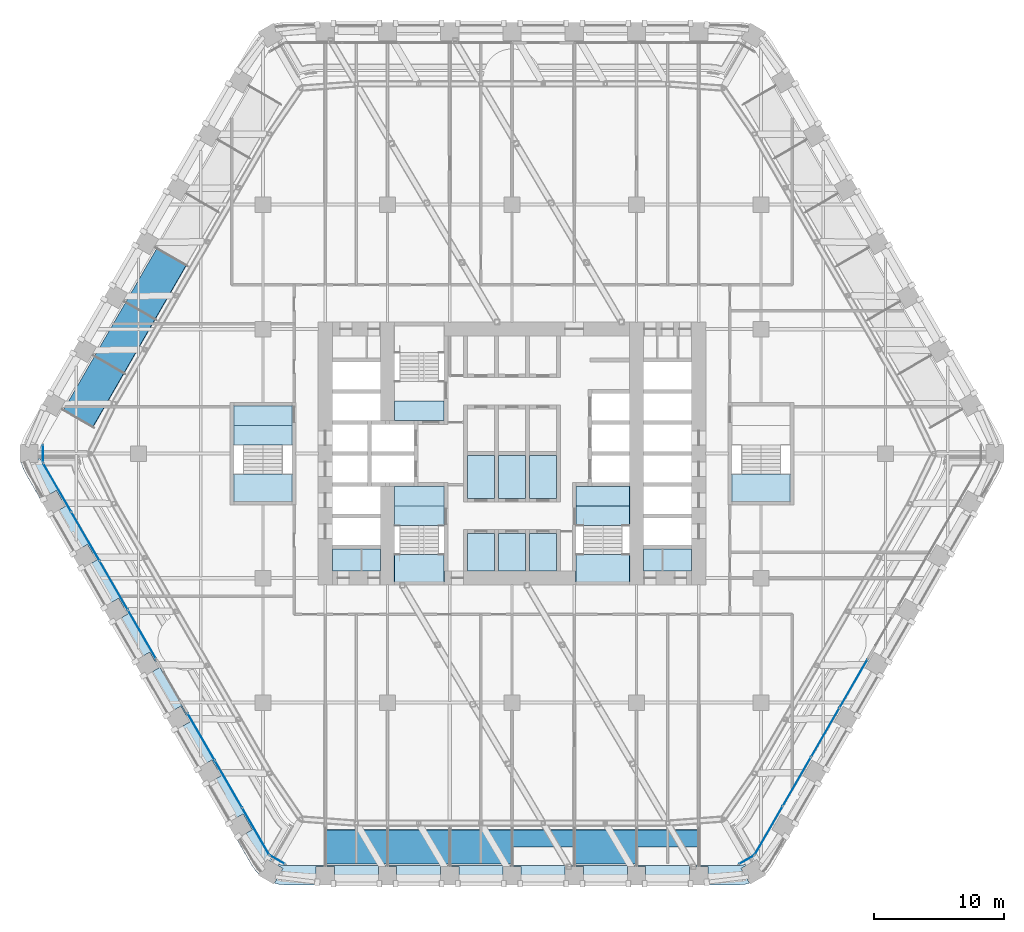
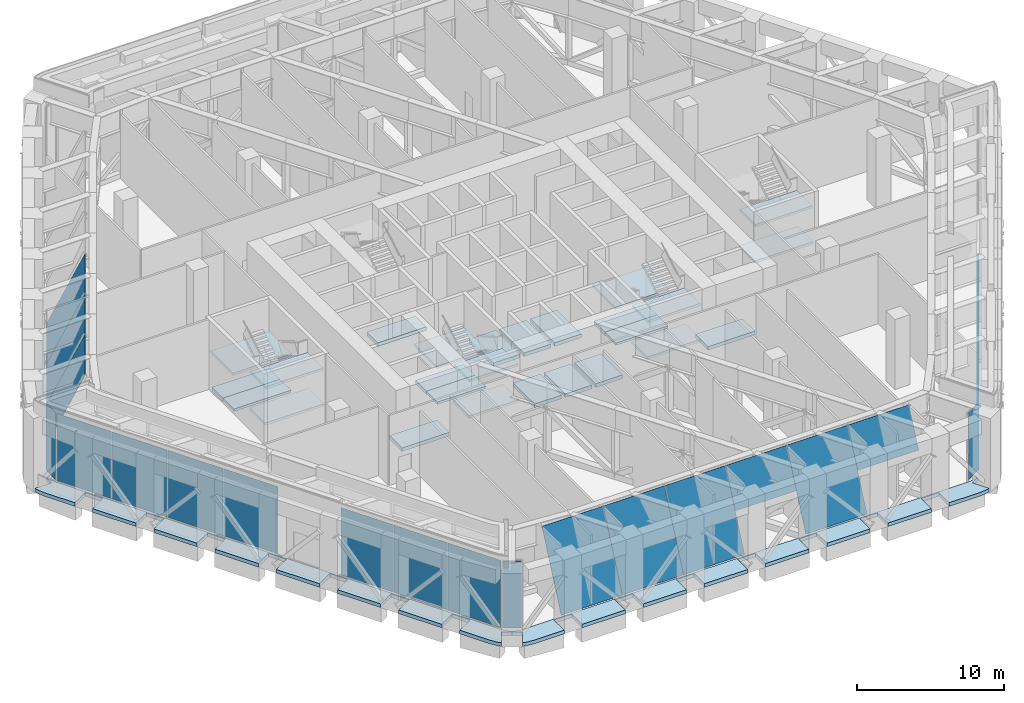
# One storey, part 16 of 35: 28 slabs, 23 plates, 12 elements without a shape of their own.
"""IFC4 building model written with IfcOpenShell, lengths in metres."""

from ifc_helpers import new_model, si_unit, direction, frame, origin, origin_2d, place, context, subcontext, project, spatial, polyline, rectangle, outline, extrude, material, layer, layer_set, type_object, element, aggregate, save


model = new_model("IFC4")

# Units and contexts
model_context = context("Model", 3, precision=1e-05, world=origin(), true_north=direction((0.0, 1.0)))
body_context = subcontext(model_context, "Body", "Model", "MODEL_VIEW")
ifc_project = project(units=[si_unit("LENGTHUNIT", "METRE"), si_unit("AREAUNIT", "SQUARE_METRE"), si_unit("VOLUMEUNIT", "CUBIC_METRE"), si_unit("PLANEANGLEUNIT", "RADIAN"), si_unit("MASSUNIT", "GRAM", prefix="KILO")], contexts=[model_context])

# Site, building, storey
site_placement = place(None, origin())
site = spatial("IfcSite", under=ifc_project, at=site_placement, CompositionType="ELEMENT")
building_placement = place(site_placement, origin())
building = spatial("IfcBuilding", under=site, at=building_placement, Name="Kolab Exchange Tower", CompositionType="ELEMENT")
storey_placement = place(building_placement, frame((0.0, 0.0, 71.89990234375)))
storey = spatial("IfcBuildingStorey", under=building, at=storey_placement, Name="L13", CompositionType="ELEMENT", Elevation=71.89990234375)

# Curtain wall, plates
ifc_material_1 = material(Name="Aluminium EN AW-6063 T6", Category="aluminium")
curtain_wall_type_1 = type_object("IfcCurtainWallType", Name="CANTED BAND CURTAIN WALL", PredefinedType="NOTDEFINED", material=ifc_material_1)
curtain_wall_1_placement = place(storey_placement, origin())
curtain_wall_1 = element("IfcCurtainWall", 1, at=curtain_wall_1_placement, inside=storey, type_object=curtain_wall_type_1, Name="band/L13/F4", PredefinedType="NOTDEFINED")
ifc_layer_1 = layer(ifc_material_1, 0.031982421875)
ifc_layer_set_1 = layer_set([ifc_layer_1], Name="Aluminium EN AW-6063 T6")
plate_type_1 = type_object("IfcPlateType", Name="CANTED BAND LOUVRE PANEL 32", PredefinedType="CURTAIN_PANEL", material=ifc_layer_set_1)
plate_1_placement = place(storey_placement, frame((14.39990234375, -30.35009765625, 2.8408203125), z_axis=(0.0, -0.911708866658, 0.410836880595), x_axis=(-1.0, 0.0, 0.0)))
plate_1 = element("IfcPlate", 2, at=plate_1_placement, type_object=plate_type_1, Name="Band louvre panel", PredefinedType="CURTAIN_PANEL", context=body_context, shape_type="SweptSolid", body=[
    extrude(outline(polyline([(0.0, 0.0), (4.7998046875, 0.0), (4.7998046875, -3.2458042516046235), (0.0, -3.2458042516046235), (0.0, 0.0)])), origin(), (0.0, 0.0, -1.0), 0.031982421875),
])
plate_2_placement = place(storey_placement, frame((9.60009765625, -31.63037109375, 0.0), z_axis=(0.0, -0.911700930448, 0.410854491786), x_axis=(-1.0, 0.0, 0.0)))
plate_2 = element("IfcPlate", 3, at=plate_2_placement, type_object=plate_type_1, Name="Band louvre panel", PredefinedType="CURTAIN_PANEL", context=body_context, shape_type="SweptSolid", body=[
    extrude(outline(polyline([(0.0, 0.0), (4.800048828125, 0.0), (4.800048828125, -6.361788865651314), (0.0, -6.361788865651314), (0.0, 0.0)])), origin(), (0.0, 0.0, -1.0), 0.031982421875),
])
plate_3_placement = place(storey_placement, frame((4.800048828125, -30.35009765625, 2.8408203125), z_axis=(0.0, -0.911708866658, 0.410836880595), x_axis=(-1.0, 0.0, 0.0)))
plate_3 = element("IfcPlate", 4, at=plate_3_placement, type_object=plate_type_1, Name="Band louvre panel", PredefinedType="CURTAIN_PANEL", context=body_context, shape_type="SweptSolid", body=[
    extrude(outline(polyline([(0.0, 0.0), (4.800048828125, 0.0), (4.800048828125, -3.245804251604623), (0.0, -3.245804251604623), (0.0, 0.0)])), origin(), (0.0, 0.0, -1.0), 0.031982421875),
])
plate_4_placement = place(storey_placement, frame((0.0, -31.63037109375, 0.0), z_axis=(0.0, -0.911700930448, 0.410854491786), x_axis=(-1.0, 0.0, 0.0)))
plate_4 = element("IfcPlate", 5, at=plate_4_placement, type_object=plate_type_1, Name="Band louvre panel", PredefinedType="CURTAIN_PANEL", context=body_context, shape_type="SweptSolid", body=[
    extrude(outline(polyline([(0.0, 0.0), (4.800048828125, 0.0), (4.800048828125, -6.361788865651314), (0.0, -6.361788865651314), (0.0, 0.0)])), origin(), (0.0, 0.0, -1.0), 0.031982421875),
])
plate_5_placement = place(storey_placement, frame((-4.800048828125, -31.63037109375, 0.0), z_axis=(0.0, -0.911700930448, 0.410854491786), x_axis=(-1.0, 0.0, 0.0)))
plate_5 = element("IfcPlate", 6, at=plate_5_placement, type_object=plate_type_1, Name="Band louvre panel", PredefinedType="CURTAIN_PANEL", context=body_context, shape_type="SweptSolid", body=[
    extrude(outline(polyline([(0.0, 0.0), (4.800048828125, 0.0), (4.800048828125, -6.361788865651314), (0.0, -6.361788865651314), (0.0, 0.0)])), origin(), (0.0, 0.0, -1.0), 0.031982421875),
])
plate_6_placement = place(storey_placement, frame((-9.60009765625, -31.63037109375, 0.0), z_axis=(0.0, -0.911700930448, 0.410854491786), x_axis=(-1.0, 0.0, 0.0)))
plate_6 = element("IfcPlate", 7, at=plate_6_placement, type_object=plate_type_1, Name="Band louvre panel", PredefinedType="CURTAIN_PANEL", context=body_context, shape_type="SweptSolid", body=[
    extrude(outline(polyline([(0.0, 0.0), (4.7998046875, 0.0), (4.7998046875, -6.361788865651314), (0.0, -6.361788865651314), (0.0, 0.0)])), origin(), (0.0, 0.0, -1.0), 0.031982421875),
])
aggregate(curtain_wall_1, [plate_1, plate_2, plate_3, plate_4, plate_5, plate_6])

curtain_wall_2_placement = place(storey_placement, origin())
curtain_wall_2 = element("IfcCurtainWall", 8, at=curtain_wall_2_placement, inside=storey, type_object=curtain_wall_type_1, Name="band/L13/F6", PredefinedType="NOTDEFINED")
plate_7_placement = place(storey_placement, frame((-34.5927734375, 3.344482421875, 0.0), z_axis=(-0.789534502145, 0.455872533438, 0.410871638324), x_axis=(0.500030302691, 0.866007907798, 4.7635e-06)))
plate_7 = element("IfcPlate", 9, at=plate_7_placement, type_object=plate_type_1, Name="Band louvre panel", PredefinedType="CURTAIN_PANEL", context=body_context, shape_type="SweptSolid", body=[
    extrude(outline(polyline([(0.0, 0.0), (4.799914195292466, 1.1102230246251565e-16), (4.800073815062638, -6.361817706312221), (-5.1807941692648665e-05, -6.361867865499385), (0.0, 0.0)])), origin(), (0.0, 0.0, -1.0), 0.031982421875),
])
plate_8_placement = place(storey_placement, frame((-32.192626953125, 7.501220703125, 0.0), z_axis=(-0.789563490305, 0.455829512521, 0.410863663873), x_axis=(0.499979284789, 0.866037363387, 0.0)))
plate_8 = element("IfcPlate", 10, at=plate_8_placement, type_object=plate_type_1, Name="Band louvre panel", PredefinedType="CURTAIN_PANEL", context=body_context, shape_type="SweptSolid", body=[
    extrude(outline(polyline([(0.0, 0.0), (4.800003553677277, 0.0), (4.799981562063163, -6.361817708520049), (-2.1991614113848587e-05, -6.361817708520049), (0.0, 0.0)])), origin(), (0.0, 0.0, -1.0), 0.031982421875),
])
plate_9_placement = place(storey_placement, frame((-29.792724609375, 11.658203125, 0.0), z_axis=(-0.789543411339, 0.455864290648, 0.410863663669), x_axis=(0.500017431331, 0.866015339567, 0.0)))
plate_9 = element("IfcPlate", 11, at=plate_9_placement, type_object=plate_type_1, Name="Band louvre panel", PredefinedType="CURTAIN_PANEL", context=body_context, shape_type="SweptSolid", body=[
    extrude(outline(polyline([(0.0, 0.0), (4.800125623588972, -1.1102230246251565e-16), (4.800218765826388, -6.361817707876221), (9.314223741605604e-05, -6.36181770787622), (0.0, 0.0)])), origin(), (0.0, 0.0, -1.0), 0.031982421875),
])
aggregate(curtain_wall_2, [plate_7, plate_8, plate_9])

# Slabs
ifc_material_2 = material(Name="Concrete C35/45", Category="concrete")
ifc_layer_2 = layer(ifc_material_2, 0.300048828125)
ifc_layer_set_2 = layer_set([ifc_layer_2], Name="Concrete C35/45")
slab_type_1 = type_object("IfcSlabType", Name="FLOOR SLAB 300", PredefinedType="FLOOR", material=ifc_layer_set_2)
slab_1_placement = place(storey_placement, frame((0.0, 0.0, -0.2998046875)))
element("IfcSlab", 12, at=slab_1_placement, inside=storey, type_object=slab_type_1, Name="slab/L13/floor/2", PredefinedType="FLOOR", context=body_context, shape_type="SweptSolid", body=[
    extrude(outline(polyline([(-3.449951171875, -3.449951171875), (-1.35009765625, -3.449951171875), (-1.35009765625, -0.14990234375), (-3.449951171875, -0.14990234375), (-3.449951171875, -3.449951171875)])), origin(), (0.0, 0.0, 1.0), 0.2998046875),
])
slab_2_placement = place(storey_placement, frame((0.0, 0.0, -0.2998046875)))
element("IfcSlab", 13, at=slab_2_placement, inside=storey, type_object=slab_type_1, Name="slab/L13/floor/4", PredefinedType="FLOOR", context=body_context, shape_type="SweptSolid", body=[
    extrude(outline(polyline([(-1.050048828125, -0.14990234375), (-1.050048828125, -3.449951171875), (1.050048828125, -3.449951171875), (1.050048828125, -0.14990234375), (-1.050048828125, -0.14990234375)])), origin(), (0.0, 0.0, 1.0), 0.2998046875),
])
slab_3_placement = place(storey_placement, frame((0.0, 0.0, -0.2998046875)))
element("IfcSlab", 14, at=slab_3_placement, inside=storey, type_object=slab_type_1, Name="slab/L13/floor/6", PredefinedType="FLOOR", context=body_context, shape_type="SweptSolid", body=[
    extrude(outline(polyline([(1.35009765625, -3.449951171875), (3.449951171875, -3.449951171875), (3.449951171875, -0.14990234375), (1.35009765625, -0.14990234375), (1.35009765625, -3.449951171875)])), origin(), (0.0, 0.0, 1.0), 0.2998046875),
])
slab_4_placement = place(storey_placement, frame((0.0, 0.0, -0.2998046875)))
element("IfcSlab", 15, at=slab_4_placement, inside=storey, type_object=slab_type_1, Name="slab/L13/floor/8", PredefinedType="FLOOR", context=body_context, shape_type="SweptSolid", body=[
    extrude(outline(polyline([(-21.449951171875, 3.64990234375), (-21.449951171875, 2.14990234375), (-16.949951171875, 2.14990234375), (-16.949951171875, 3.64990234375), (-21.449951171875, 3.64990234375)])), origin(), (0.0, 0.0, 1.0), 0.2998046875),
])
slab_5_placement = place(storey_placement, frame((0.0, 0.0, -0.2998046875)))
element("IfcSlab", 16, at=slab_5_placement, inside=storey, type_object=slab_type_1, Name="slab/L13/floor/10", PredefinedType="FLOOR", context=body_context, shape_type="SweptSolid", body=[
    extrude(outline(polyline([(-10.14990234375, -9.050048828125), (-10.14990234375, -7.35009765625), (-13.85009765625, -7.35009765625), (-13.85009765625, -9.050048828125), (-10.14990234375, -9.050048828125)])), origin(), (0.0, 0.0, 1.0), 0.2998046875),
])
slab_6_placement = place(storey_placement, frame((0.0, 0.0, -0.2998046875)))
element("IfcSlab", 17, at=slab_6_placement, inside=storey, type_object=slab_type_1, Name="slab/L13/floor/12", PredefinedType="FLOOR", context=body_context, shape_type="SweptSolid", body=[
    extrude(outline(polyline([(10.14990234375, -7.35009765625), (10.14990234375, -9.050048828125), (13.85009765625, -9.050048828125), (13.85009765625, -7.35009765625), (10.14990234375, -7.35009765625)])), origin(), (0.0, 0.0, 1.0), 0.2998046875),
])
slab_7_placement = place(storey_placement, frame((0.0, 0.0, -0.2998046875)))
element("IfcSlab", 18, at=slab_7_placement, inside=storey, type_object=slab_type_1, Name="slab/L13/floor/14", PredefinedType="FLOOR", context=body_context, shape_type="SweptSolid", body=[
    extrude(outline(polyline([(9.050048828125, -4.050048828125), (9.050048828125, -2.550048828125), (6.14990234375, -2.550048828125), (5.85009765625, -2.550048828125), (4.949951171875, -2.550048828125), (4.949951171875, -4.050048828125), (9.050048828125, -4.050048828125)])), origin(), (0.0, 0.0, 1.0), 0.2998046875),
])
slab_8_placement = place(storey_placement, frame((0.0, 0.0, -0.2998046875)))
element("IfcSlab", 19, at=slab_8_placement, inside=storey, type_object=slab_type_1, Name="slab/L13/floor/15", PredefinedType="FLOOR", context=body_context, shape_type="SweptSolid", body=[
    extrude(outline(polyline([(1.050048828125, -6.14990234375), (-1.050048828125, -6.14990234375), (-1.050048828125, -9.050048828125), (1.050048828125, -9.050048828125), (1.050048828125, -6.14990234375)])), origin(), (0.0, 0.0, 1.0), 0.2998046875),
])
slab_9_placement = place(storey_placement, frame((0.0, 0.0, -0.2998046875)))
element("IfcSlab", 20, at=slab_9_placement, inside=storey, type_object=slab_type_1, Name="slab/L13/floor/17", PredefinedType="FLOOR", context=body_context, shape_type="SweptSolid", body=[
    extrude(outline(polyline([(-1.35009765625, -6.14990234375), (-3.449951171875, -6.14990234375), (-3.449951171875, -9.050048828125), (-1.35009765625, -9.050048828125), (-1.35009765625, -6.14990234375)])), origin(), (0.0, 0.0, 1.0), 0.2998046875),
])
slab_10_placement = place(storey_placement, frame((0.0, 0.0, -0.2998046875)))
element("IfcSlab", 21, at=slab_10_placement, inside=storey, type_object=slab_type_1, Name="slab/L13/floor/19", PredefinedType="FLOOR", context=body_context, shape_type="SweptSolid", body=[
    extrude(outline(polyline([(1.35009765625, -6.14990234375), (1.35009765625, -9.050048828125), (3.449951171875, -9.050048828125), (3.449951171875, -6.14990234375), (1.35009765625, -6.14990234375)])), origin(), (0.0, 0.0, 1.0), 0.2998046875),
])
slab_11_placement = place(storey_placement, frame((0.0, 0.0, -0.2998046875)))
element("IfcSlab", 22, at=slab_11_placement, inside=storey, type_object=slab_type_1, Name="slab/L13/floor/21", PredefinedType="FLOOR", context=body_context, shape_type="SweptSolid", body=[
    extrude(outline(polyline([(-9.050048828125, -4.050048828125), (-5.25, -4.050048828125), (-5.25, -2.550048828125), (-7.25, -2.550048828125), (-7.550048828125, -2.550048828125), (-9.050048828125, -2.550048828125), (-9.050048828125, -4.050048828125)])), origin(), (0.0, 0.0, 1.0), 0.2998046875),
])
slab_12_placement = place(storey_placement, frame((0.0, 0.0, -0.2998046875)))
element("IfcSlab", 23, at=slab_12_placement, inside=storey, type_object=slab_type_1, Name="slab/L13/floor/22", PredefinedType="FLOOR", context=body_context, shape_type="SweptSolid", body=[
    extrude(outline(polyline([(-5.25, 4.050048828125), (-9.050048828125, 4.050048828125), (-9.050048828125, 2.550048828125), (-7.550048828125, 2.550048828125), (-7.25, 2.550048828125), (-5.25, 2.550048828125), (-5.25, 4.050048828125)])), origin(), (0.0, 0.0, 1.0), 0.2998046875),
])
ifc_layer_3 = layer(ifc_material_2, 0.300048828125)
ifc_layer_set_3 = layer_set([ifc_layer_3], Name="Concrete C35/45")
slab_type_2 = type_object("IfcSlabType", Name="LOGGIA SLAB 300", PredefinedType="FLOOR", material=ifc_layer_set_3)
slab_13_placement = place(storey_placement, frame((0.0, 0.0, -0.2998046875)))
element("IfcSlab", 24, at=slab_13_placement, inside=storey, type_object=slab_type_2, Name="slab/L13/loggia/3-0", PredefinedType="FLOOR", context=body_context, shape_type="SweptSolid", body=[
    extrude(outline(polyline([(-18.218017578125, -31.554443359375), (-18.26806640625, -31.64111328125), (-17.66162109375, -31.990966796875), (-18.31494140625, -33.122314453125), (-17.989013671875, -33.209716796875), (-17.468017578125, -33.25537109375), (-15.10009765625, -33.25537109375), (-15.10009765625, -31.85546875), (-13.699951171875, -31.85546875), (-13.699951171875, -33.25537109375), (-10.300048828125, -33.25537109375), (-10.300048828125, -31.85546875), (-8.89990234375, -31.85546875), (-8.89990234375, -33.25537109375), (-5.5, -33.25537109375), (-5.5, -31.85546875), (-4.10009765625, -31.85546875), (-4.10009765625, -33.25537109375), (-0.699951171875, -33.25537109375), (-0.699951171875, -31.85546875), (0.699951171875, -31.85546875), (0.699951171875, -33.25537109375), (4.10009765625, -33.25537109375), (4.10009765625, -31.85546875), (5.5, -31.85546875), (5.5, -33.25537109375), (8.89990234375, -33.25537109375), (8.89990234375, -31.85546875), (10.300048828125, -31.85546875), (10.300048828125, -33.25537109375), (13.699951171875, -33.25537109375), (13.699951171875, -31.85546875), (15.10009765625, -31.85546875), (15.10009765625, -33.25537109375), (17.468017578125, -33.25537109375), (17.989013671875, -33.209716796875), (18.31494140625, -33.122314453125), (17.66162109375, -31.990966796875), (18.26806640625, -31.64111328125), (18.218017578125, -31.554443359375), (17.98095703125, -31.664794921875), (17.728515625, -31.732666015625), (17.468017578125, -31.75537109375), (-17.468017578125, -31.75537109375), (-17.728515625, -31.732666015625), (-17.98095703125, -31.664794921875), (-18.218017578125, -31.554443359375)])), origin(), (0.0, 0.0, 1.0), 0.2998046875),
])
slab_14_placement = place(storey_placement, frame((0.0, 0.0, -0.2998046875)))
element("IfcSlab", 25, at=slab_14_placement, inside=storey, type_object=slab_type_2, Name="slab/L13/loggia/4-0", PredefinedType="FLOOR", context=body_context, shape_type="SweptSolid", body=[
    extrude(outline(polyline([(-36.435791015625, 0.0), (-36.535888671875, 0.0), (-36.535888671875, -0.699951171875), (-37.84228515625, -0.699951171875), (-37.7548828125, -1.026123046875), (-37.533935546875, -1.5), (-36.35009765625, -3.55078125), (-35.137451171875, -2.8505859375), (-34.4375, -4.063232421875), (-35.64990234375, -4.76318359375), (-33.949951171875, -7.70751953125), (-32.737548828125, -7.007568359375), (-32.03759765625, -8.219970703125), (-33.25, -8.920166015625), (-31.550048828125, -11.864501953125), (-30.337646484375, -11.16455078125), (-29.637451171875, -12.376953125), (-30.85009765625, -13.076904296875), (-29.14990234375, -16.021484375), (-27.9375, -15.321533203125), (-27.237548828125, -16.533935546875), (-28.449951171875, -17.23388671875), (-26.75, -20.178466796875), (-25.53759765625, -19.478271484375), (-24.837646484375, -20.69091796875), (-26.050048828125, -21.390869140625), (-24.35009765625, -24.335205078125), (-23.137451171875, -23.63525390625), (-22.4375, -24.84765625), (-23.64990234375, -25.5478515625), (-21.949951171875, -28.4921875), (-20.737548828125, -27.792236328125), (-20.03759765625, -29.004638671875), (-21.25, -29.70458984375), (-20.06591796875, -31.75537109375), (-19.76611328125, -32.183837890625), (-19.52734375, -32.42236328125), (-18.874267578125, -31.291015625), (-18.26806640625, -31.64111328125), (-18.218017578125, -31.554443359375), (-18.43212890625, -31.404541015625), (-18.616943359375, -31.219482421875), (-18.76708984375, -31.00537109375), (-36.23486328125, -0.75), (-36.345458984375, -0.512939453125), (-36.4130859375, -0.260498046875), (-36.435791015625, 0.0)])), origin(), (0.0, 0.0, 1.0), 0.2998046875),
])

# Stair, slabs
ifc_material_3 = material(Name="Concrete C50/60", Category="concrete")
stair_type_1 = type_object("IfcStairType", Name="STAIR ST3 RISER 166.7", PredefinedType="DOUBLE_RETURN_STAIR", material=ifc_material_3)
stair_1_placement = place(storey_placement, origin())
stair_1 = element("IfcStair", 26, at=stair_1_placement, inside=storey, type_object=stair_type_1, Name="Stair 3", PredefinedType="DOUBLE_RETURN_STAIR")
ifc_layer_4 = layer(ifc_material_3, 0.199951171875)
ifc_layer_set_4 = layer_set([ifc_layer_4], Name="Concrete C50/60")
slab_type_3 = type_object("IfcSlabType", Name="STAIR LANDING 200", PredefinedType="LANDING", material=ifc_layer_set_4)
slab_15_placement = place(storey_placement, frame((0.0, 0.0, -0.199951171875)))
slab_15 = element("IfcSlab", 27, at=slab_15_placement, type_object=slab_type_3, Name="ST3 landing 1", PredefinedType="LANDING", context=body_context, shape_type="SweptSolid", body=[
    extrude(outline(polyline([(-9.050048828125, -5.550048828125), (-5.25, -5.550048828125), (-5.25, -4.050048828125), (-9.050048828125, -4.050048828125), (-9.050048828125, -5.550048828125)])), origin(), (0.0, 0.0, 1.0), 0.199951171875),
])
slab_16_placement = place(storey_placement, frame((0.0, 0.0, 1.300048828125)))
slab_16 = element("IfcSlab", 28, at=slab_16_placement, type_object=slab_type_3, Name="ST3 landing 2", PredefinedType="LANDING", context=body_context, shape_type="SweptSolid", body=[
    extrude(outline(polyline([(-9.110107421875, -9.909912109375), (-5.18994140625, -9.909912109375), (-5.18994140625, -7.7900390625), (-9.110107421875, -7.7900390625), (-9.110107421875, -9.909912109375)])), origin(), (0.0, 0.0, 1.0), 0.199951171875),
])
slab_17_placement = place(storey_placement, frame((0.0, 0.0, 2.800048828125)))
slab_17 = element("IfcSlab", 29, at=slab_17_placement, type_object=slab_type_3, Name="ST3 landing 3", PredefinedType="LANDING", context=body_context, shape_type="SweptSolid", body=[
    extrude(outline(polyline([(-9.110107421875, -5.550048828125), (-5.18994140625, -5.550048828125), (-5.18994140625, -2.489990234375), (-9.110107421875, -2.489990234375), (-9.110107421875, -5.550048828125)])), origin(), (0.0, 0.0, 1.0), 0.199951171875),
])
slab_18_placement = place(storey_placement, frame((0.0, 0.0, 4.300048828125)))
slab_18 = element("IfcSlab", 30, at=slab_18_placement, type_object=slab_type_3, Name="ST3 landing 4", PredefinedType="LANDING", context=body_context, shape_type="SweptSolid", body=[
    extrude(outline(polyline([(-9.050048828125, -9.909912109375), (-5.25, -9.909912109375), (-5.25, -7.7900390625), (-9.050048828125, -7.7900390625), (-9.050048828125, -9.909912109375)])), origin(), (0.0, 0.0, 1.0), 0.199951171875),
])
aggregate(stair_1, [slab_15, slab_16, slab_17, slab_18])

stair_type_2 = type_object("IfcStairType", Name="STAIR ST2 RISER 166.7", PredefinedType="DOUBLE_RETURN_STAIR", material=ifc_material_3)
stair_2_placement = place(storey_placement, origin())
stair_2 = element("IfcStair", 31, at=stair_2_placement, inside=storey, type_object=stair_type_2, Name="Stair 2", PredefinedType="DOUBLE_RETURN_STAIR")
slab_19_placement = place(storey_placement, frame((0.0, 0.0, -0.199951171875)))
slab_19 = element("IfcSlab", 32, at=slab_19_placement, type_object=slab_type_3, Name="ST2 landing 1", PredefinedType="LANDING", context=body_context, shape_type="SweptSolid", body=[
    extrude(outline(polyline([(4.949951171875, -5.550048828125), (9.050048828125, -5.550048828125), (9.050048828125, -4.050048828125), (4.949951171875, -4.050048828125), (4.949951171875, -5.550048828125)])), origin(), (0.0, 0.0, 1.0), 0.199951171875),
])
slab_20_placement = place(storey_placement, frame((0.0, 0.0, 1.300048828125)))
slab_20 = element("IfcSlab", 33, at=slab_20_placement, type_object=slab_type_3, Name="ST2 landing 2", PredefinedType="LANDING", context=body_context, shape_type="SweptSolid", body=[
    extrude(outline(polyline([(4.889892578125, -9.909912109375), (9.110107421875, -9.909912109375), (9.110107421875, -7.7900390625), (4.889892578125, -7.7900390625), (4.889892578125, -9.909912109375)])), origin(), (0.0, 0.0, 1.0), 0.199951171875),
])
slab_21_placement = place(storey_placement, frame((0.0, 0.0, 2.800048828125)))
slab_21 = element("IfcSlab", 34, at=slab_21_placement, type_object=slab_type_3, Name="ST2 landing 3", PredefinedType="LANDING", context=body_context, shape_type="SweptSolid", body=[
    extrude(outline(polyline([(4.889892578125, -5.550048828125), (9.110107421875, -5.550048828125), (9.110107421875, -2.489990234375), (4.889892578125, -2.489990234375), (4.889892578125, -5.550048828125)])), origin(), (0.0, 0.0, 1.0), 0.199951171875),
])
slab_22_placement = place(storey_placement, frame((0.0, 0.0, 4.300048828125)))
slab_22 = element("IfcSlab", 35, at=slab_22_placement, type_object=slab_type_3, Name="ST2 landing 4", PredefinedType="LANDING", context=body_context, shape_type="SweptSolid", body=[
    extrude(outline(polyline([(4.949951171875, -9.909912109375), (9.050048828125, -9.909912109375), (9.050048828125, -7.7900390625), (4.949951171875, -7.7900390625), (4.949951171875, -9.909912109375)])), origin(), (0.0, 0.0, 1.0), 0.199951171875),
])
aggregate(stair_2, [slab_19, slab_20, slab_21, slab_22])

stair_type_3 = type_object("IfcStairType", Name="STAIR ST4 RISER 166.7", PredefinedType="DOUBLE_RETURN_STAIR", material=ifc_material_3)
stair_3_placement = place(storey_placement, origin())
stair_3 = element("IfcStair", 36, at=stair_3_placement, inside=storey, type_object=stair_type_3, Name="Stair 4", PredefinedType="DOUBLE_RETURN_STAIR")
slab_23_placement = place(storey_placement, frame((0.0, 0.0, 1.300048828125)))
slab_23 = element("IfcSlab", 37, at=slab_23_placement, type_object=slab_type_3, Name="ST4 landing 2", PredefinedType="LANDING", context=body_context, shape_type="SweptSolid", body=[
    extrude(outline(polyline([(16.889892578125, -3.7099609375), (21.510009765625, -3.7099609375), (21.510009765625, -1.590087890625), (16.889892578125, -1.590087890625), (16.889892578125, -3.7099609375)])), origin(), (0.0, 0.0, 1.0), 0.199951171875),
])
slab_24_placement = place(storey_placement, frame((0.0, 0.0, 4.300048828125)))
slab_24 = element("IfcSlab", 38, at=slab_24_placement, type_object=slab_type_3, Name="ST4 landing 4", PredefinedType="LANDING", context=body_context, shape_type="SweptSolid", body=[
    extrude(outline(polyline([(16.949951171875, -3.7099609375), (21.449951171875, -3.7099609375), (21.449951171875, -1.590087890625), (16.949951171875, -1.590087890625), (16.949951171875, -3.7099609375)])), origin(), (0.0, 0.0, 1.0), 0.199951171875),
])
aggregate(stair_3, [slab_23, slab_24])

stair_type_4 = type_object("IfcStairType", Name="STAIR ST5 RISER 166.7", PredefinedType="DOUBLE_RETURN_STAIR", material=ifc_material_3)
stair_4_placement = place(storey_placement, origin())
stair_4 = element("IfcStair", 39, at=stair_4_placement, inside=storey, type_object=stair_type_4, Name="Stair 5", PredefinedType="DOUBLE_RETURN_STAIR")
slab_25_placement = place(storey_placement, frame((0.0, 0.0, -0.199951171875)))
slab_25 = element("IfcSlab", 40, at=slab_25_placement, type_object=slab_type_3, Name="ST5 landing 1", PredefinedType="LANDING", context=body_context, shape_type="SweptSolid", body=[
    extrude(outline(polyline([(-21.449951171875, 0.64990234375), (-16.949951171875, 0.64990234375), (-16.949951171875, 2.14990234375), (-21.449951171875, 2.14990234375), (-21.449951171875, 0.64990234375)])), origin(), (0.0, 0.0, 1.0), 0.199951171875),
])
slab_26_placement = place(storey_placement, frame((0.0, 0.0, 1.300048828125)))
slab_26 = element("IfcSlab", 41, at=slab_26_placement, type_object=slab_type_3, Name="ST5 landing 2", PredefinedType="LANDING", context=body_context, shape_type="SweptSolid", body=[
    extrude(outline(polyline([(-21.510009765625, -3.7099609375), (-16.889892578125, -3.7099609375), (-16.889892578125, -1.590087890625), (-21.510009765625, -1.590087890625), (-21.510009765625, -3.7099609375)])), origin(), (0.0, 0.0, 1.0), 0.199951171875),
])
slab_27_placement = place(storey_placement, frame((0.0, 0.0, 2.800048828125)))
slab_27 = element("IfcSlab", 42, at=slab_27_placement, type_object=slab_type_3, Name="ST5 landing 3", PredefinedType="LANDING", context=body_context, shape_type="SweptSolid", body=[
    extrude(outline(polyline([(-21.510009765625, 0.64990234375), (-16.889892578125, 0.64990234375), (-16.889892578125, 3.7099609375), (-21.510009765625, 3.7099609375), (-21.510009765625, 0.64990234375)])), origin(), (0.0, 0.0, 1.0), 0.199951171875),
])
slab_28_placement = place(storey_placement, frame((0.0, 0.0, 4.300048828125)))
slab_28 = element("IfcSlab", 43, at=slab_28_placement, type_object=slab_type_3, Name="ST5 landing 4", PredefinedType="LANDING", context=body_context, shape_type="SweptSolid", body=[
    extrude(outline(polyline([(-21.449951171875, -3.7099609375), (-16.949951171875, -3.7099609375), (-16.949951171875, -1.590087890625), (-21.449951171875, -1.590087890625), (-21.449951171875, -3.7099609375)])), origin(), (0.0, 0.0, 1.0), 0.199951171875),
])
aggregate(stair_4, [slab_25, slab_26, slab_27, slab_28])

# Curtain wall, plates
curtain_wall_type_2 = type_object("IfcCurtainWallType", Name="UNITISED LOW ZONE BELT CURTAIN WALL", PredefinedType="NOTDEFINED", material=ifc_material_1)
curtain_wall_3_placement = place(storey_placement, origin())
curtain_wall_3 = element("IfcCurtainWall", 44, at=curtain_wall_3_placement, inside=storey, type_object=curtain_wall_type_2, Name="cw/L13/F3-2", PredefinedType="NOTDEFINED")
ifc_layer_5 = layer(ifc_material_1, 0.02392578125)
ifc_layer_set_5 = layer_set([ifc_layer_5], Name="Aluminium EN AW-6063 T6")
plate_type_2 = type_object("IfcPlateType", Name="UNITISED LOW ZONE BELT LOUVRE PANEL 24", PredefinedType="CURTAIN_PANEL", material=ifc_layer_set_5)
plate_10_placement = place(storey_placement, frame((26.33251953125, -17.74169921875, 0.06005859375), z_axis=(0.0, 0.0, 1.0), x_axis=(-0.5000000112, -0.866025397318, 0.0)))
plate_10 = element("IfcPlate", 45, at=plate_10_placement, type_object=plate_type_2, Name="CW9 panel 1.1", PredefinedType="CURTAIN_PANEL", context=body_context, shape_type="SweptSolid", body=[
    extrude(rectangle(XDim=4.277099609375, YDim=0.02392578125, at=origin_2d()), origin(), (0.0, 0.0, 1.0), 5.580078125),
])
plate_11_placement = place(storey_placement, frame((24.156494140625, -21.510498046875, 0.06005859375), z_axis=(0.0, 0.0, 1.0), x_axis=(-0.5000000112, -0.866025397318, 0.0)))
plate_11 = element("IfcPlate", 46, at=plate_11_placement, type_object=plate_type_2, Name="CW9 panel 2.1", PredefinedType="CURTAIN_PANEL", context=body_context, shape_type="SweptSolid", body=[
    extrude(rectangle(XDim=4.306884765625, YDim=0.02392578125, at=origin_2d()), origin(), (0.0, 0.0, 1.0), 5.580078125),
])
plate_12_placement = place(storey_placement, frame((21.972900390625, -25.29248046875, 0.06005859375), z_axis=(0.0, 0.0, 1.0), x_axis=(-0.5000000112, -0.866025397318, 0.0)))
plate_12 = element("IfcPlate", 47, at=plate_12_placement, type_object=plate_type_2, Name="CW9 panel 3.1", PredefinedType="CURTAIN_PANEL", context=body_context, shape_type="SweptSolid", body=[
    extrude(rectangle(XDim=4.306884765625, YDim=0.02392578125, at=origin_2d()), origin(), (0.0, 0.0, 1.0), 5.580078125),
])
plate_13_placement = place(storey_placement, frame((19.796875, -29.0615234375, 0.06005859375), z_axis=(0.0, 0.0, 1.0), x_axis=(-0.5000000112, -0.866025397318, 0.0)))
plate_13 = element("IfcPlate", 48, at=plate_13_placement, type_object=plate_type_2, Name="CW9 panel 4.1", PredefinedType="CURTAIN_PANEL", context=body_context, shape_type="SweptSolid", body=[
    extrude(rectangle(XDim=4.277099609375, YDim=0.02392578125, at=origin_2d()), origin(), (0.0, 0.0, 1.0), 5.580078125),
])
aggregate(curtain_wall_3, [plate_10, plate_11, plate_12, plate_13])

curtain_wall_4_placement = place(storey_placement, origin())
curtain_wall_4 = element("IfcCurtainWall", 49, at=curtain_wall_4_placement, inside=storey, type_object=curtain_wall_type_2, Name="cw/L13/F5-1", PredefinedType="NOTDEFINED")
plate_14_placement = place(storey_placement, frame((-19.760986328125, -29.1240234375, 0.06005859375), z_axis=(0.0, 0.0, 1.0), x_axis=(-0.500000017564, 0.866025393644, 0.0)))
plate_14 = element("IfcPlate", 50, at=plate_14_placement, type_object=plate_type_2, Name="CW9 panel 1.1", PredefinedType="CURTAIN_PANEL", context=body_context, shape_type="SweptSolid", body=[
    extrude(rectangle(XDim=4.132568359375, YDim=0.02392578125, at=origin_2d()), origin(), (0.0, 0.0, 1.0), 5.580078125),
])
plate_15_placement = place(storey_placement, frame((-21.86474609375, -25.47998046875, 0.06005859375), z_axis=(0.0, 0.0, 1.0), x_axis=(-0.500000017564, 0.866025393644, 0.0)))
plate_15 = element("IfcPlate", 51, at=plate_15_placement, type_object=plate_type_2, Name="CW9 panel 2.1", PredefinedType="CURTAIN_PANEL", context=body_context, shape_type="SweptSolid", body=[
    extrude(rectangle(XDim=4.16259765625, YDim=0.02392578125, at=origin_2d()), origin(), (0.0, 0.0, 1.0), 5.580078125),
])
plate_16_placement = place(storey_placement, frame((-23.968505859375, -21.836181640625, 0.06005859375), z_axis=(0.0, 0.0, 1.0), x_axis=(-0.500000017564, 0.866025393644, 0.0)))
plate_16 = element("IfcPlate", 52, at=plate_16_placement, type_object=plate_type_2, Name="CW9 panel 3.1", PredefinedType="CURTAIN_PANEL", context=body_context, shape_type="SweptSolid", body=[
    extrude(rectangle(XDim=4.132568359375, YDim=0.02392578125, at=origin_2d()), origin(), (0.0, 0.0, 1.0), 5.580078125),
])
aggregate(curtain_wall_4, [plate_14, plate_15, plate_16])

curtain_wall_5_placement = place(storey_placement, origin())
curtain_wall_5 = element("IfcCurtainWall", 53, at=curtain_wall_5_placement, inside=storey, type_object=curtain_wall_type_2, Name="cw/L13/F5-2", PredefinedType="NOTDEFINED")
plate_17_placement = place(storey_placement, frame((-28.531005859375, -13.933837890625, 0.06005859375), z_axis=(0.0, 0.0, 1.0), x_axis=(-0.499999968274, 0.866025422102, 0.0)))
plate_17 = element("IfcPlate", 54, at=plate_17_placement, type_object=plate_type_2, Name="CW9 panel 1.1", PredefinedType="CURTAIN_PANEL", context=body_context, shape_type="SweptSolid", body=[
    extrude(rectangle(XDim=4.277099609375, YDim=0.02392578125, at=origin_2d()), origin(), (0.0, 0.0, 1.0), 5.580078125),
])
plate_18_placement = place(storey_placement, frame((-30.70703125, -10.164794921875, 0.06005859375), z_axis=(0.0, 0.0, 1.0), x_axis=(-0.499999968274, 0.866025422102, 0.0)))
plate_18 = element("IfcPlate", 55, at=plate_18_placement, type_object=plate_type_2, Name="CW9 panel 2.1", PredefinedType="CURTAIN_PANEL", context=body_context, shape_type="SweptSolid", body=[
    extrude(rectangle(XDim=4.306884765625, YDim=0.02392578125, at=origin_2d()), origin(), (0.0, 0.0, 1.0), 5.580078125),
])
plate_19_placement = place(storey_placement, frame((-32.890380859375, -6.3828125, 0.06005859375), z_axis=(0.0, 0.0, 1.0), x_axis=(-0.499999968274, 0.866025422102, 0.0)))
plate_19 = element("IfcPlate", 56, at=plate_19_placement, type_object=plate_type_2, Name="CW9 panel 3.1", PredefinedType="CURTAIN_PANEL", context=body_context, shape_type="SweptSolid", body=[
    extrude(rectangle(XDim=4.306884765625, YDim=0.02392578125, at=origin_2d()), origin(), (0.0, 0.0, 1.0), 5.580078125),
])
plate_20_placement = place(storey_placement, frame((-35.06640625, -2.614013671875, 0.06005859375), z_axis=(0.0, 0.0, 1.0), x_axis=(-0.499999968274, 0.866025422102, 0.0)))
plate_20 = element("IfcPlate", 57, at=plate_20_placement, type_object=plate_type_2, Name="CW9 panel 4.1", PredefinedType="CURTAIN_PANEL", context=body_context, shape_type="SweptSolid", body=[
    extrude(rectangle(XDim=4.277099609375, YDim=0.02392578125, at=origin_2d()), origin(), (0.0, 0.0, 1.0), 5.580078125),
])
aggregate(curtain_wall_5, [plate_17, plate_18, plate_19, plate_20])

# Curtain wall, plate
curtain_wall_6_placement = place(storey_placement, origin())
curtain_wall_6 = element("IfcCurtainWall", 58, at=curtain_wall_6_placement, inside=storey, type_object=curtain_wall_type_2, Name="cw/L13/F3F4-corner", PredefinedType="NOTDEFINED")
plate_21_placement = place(storey_placement, frame((18.082763671875, -31.3203125, 0.06005859375), z_axis=(0.0, 0.0, 1.0), x_axis=(-0.866025390869, -0.50000002237, 0.0)))
plate_21 = element("IfcPlate", 59, at=plate_21_placement, type_object=plate_type_2, Name="CW9 panel 1.1", PredefinedType="CURTAIN_PANEL", context=body_context, shape_type="SweptSolid", body=[
    extrude(rectangle(XDim=1.300048828125, YDim=0.02392578125, at=origin_2d()), origin(), (0.0, 0.0, 1.0), 5.580078125),
])
aggregate(curtain_wall_6, [plate_21])

curtain_wall_7_placement = place(storey_placement, origin())
curtain_wall_7 = element("IfcCurtainWall", 60, at=curtain_wall_7_placement, inside=storey, type_object=curtain_wall_type_2, Name="cw/L13/F4F5-corner", PredefinedType="NOTDEFINED")
plate_22_placement = place(storey_placement, frame((-18.082763671875, -31.3203125, 0.06005859375), z_axis=(0.0, 0.0, 1.0), x_axis=(-0.866025390869, 0.50000002237, 0.0)))
plate_22 = element("IfcPlate", 61, at=plate_22_placement, type_object=plate_type_2, Name="CW9 panel 1.1", PredefinedType="CURTAIN_PANEL", context=body_context, shape_type="SweptSolid", body=[
    extrude(rectangle(XDim=1.300048828125, YDim=0.02392578125, at=origin_2d()), origin(), (0.0, 0.0, 1.0), 5.580078125),
])
aggregate(curtain_wall_7, [plate_22])

curtain_wall_8_placement = place(storey_placement, origin())
curtain_wall_8 = element("IfcCurtainWall", 62, at=curtain_wall_8_placement, inside=storey, type_object=curtain_wall_type_2, Name="cw/L13/F5F6-corner", PredefinedType="NOTDEFINED")
plate_23_placement = place(storey_placement, frame((-36.165771484375, 0.0, 0.06005859375), z_axis=(0.0, 0.0, 1.0), x_axis=(0.0, 1.0, 0.0)))
plate_23 = element("IfcPlate", 63, at=plate_23_placement, type_object=plate_type_2, Name="CW9 panel 1.1", PredefinedType="CURTAIN_PANEL", context=body_context, shape_type="SweptSolid", body=[
    extrude(rectangle(XDim=1.300048828125, YDim=0.02392578125, at=origin_2d()), origin(), (0.0, 0.0, 1.0), 5.580078125),
])
aggregate(curtain_wall_8, [plate_23])

save(model, "model.ifc")
